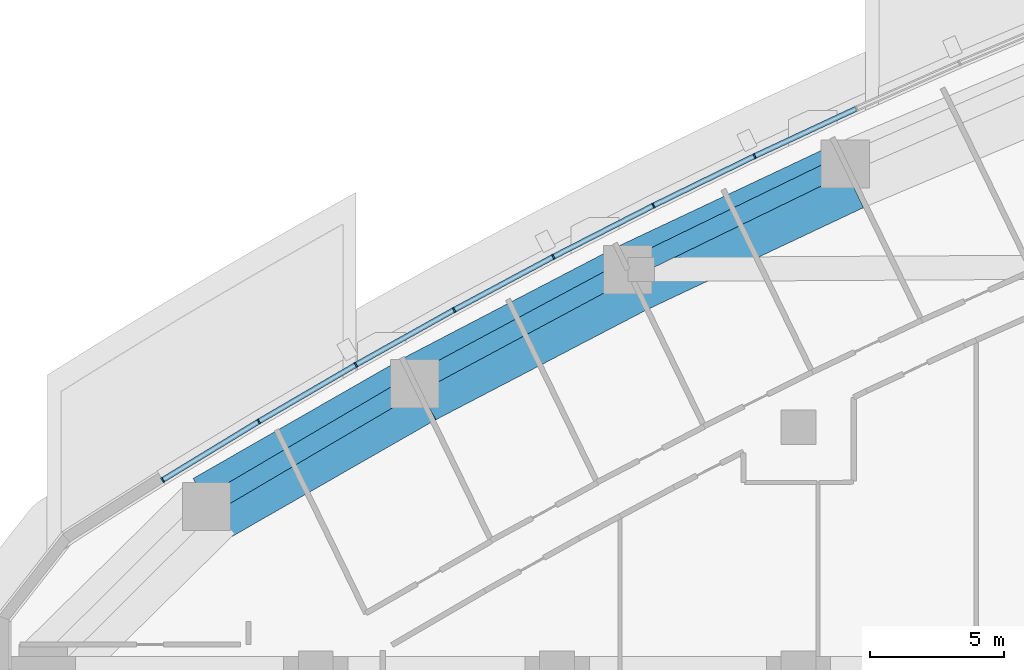
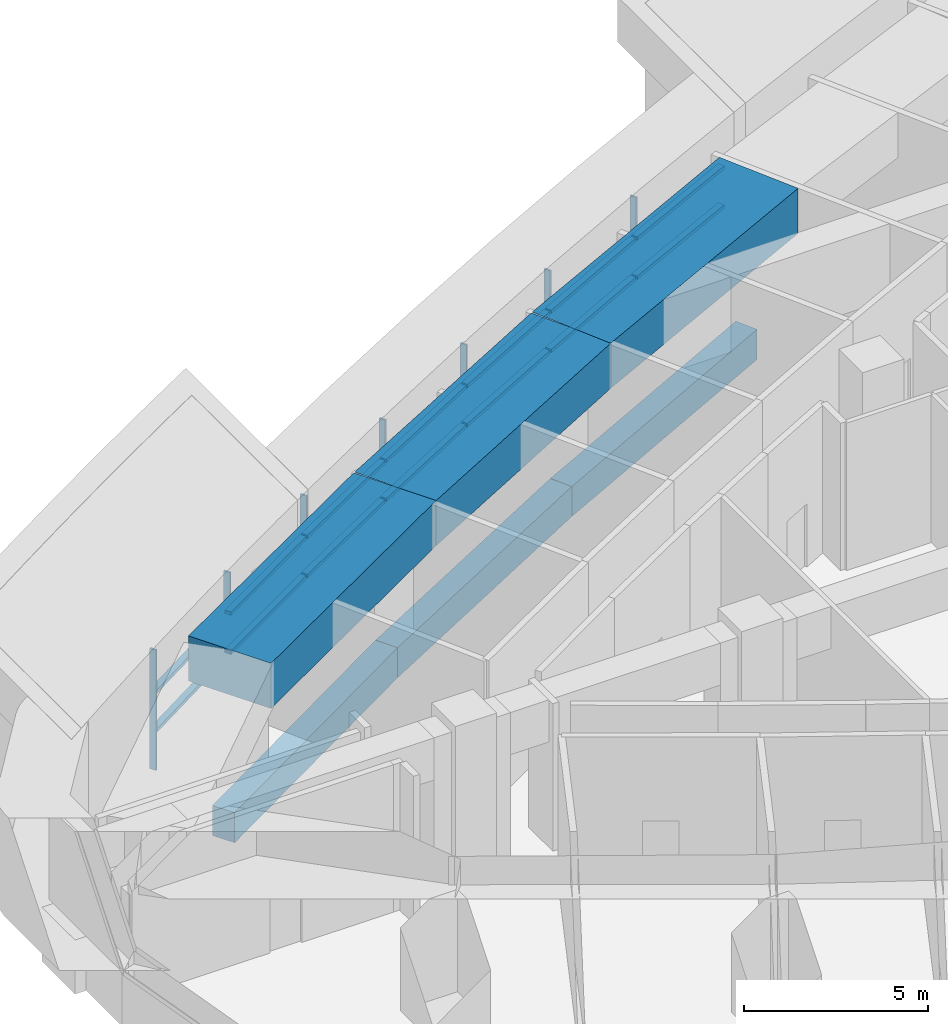
# One storey, part 5 of 17: 21 members, 6 beams, 3 elements without a shape of their own.
"""IFC4 building model written with IfcOpenShell, lengths in metres."""

import ifcopenshell
import ifcopenshell.guid

model = None  # the IFC model being written
_history = None  # IfcOwnerHistory: only IFC2X3 demands one
_inside = {}  # id of a spatial element -> (the spatial element, [elements in it])
_under = {}  # id of a project, library or spatial element -> (it, [spatial elements below it])
_declared = {}  # id of a project -> (the project, [libraries it declares])
_typed = {}  # id of a type object -> (the type object, [elements of that type])
_made_of = {}  # id of a material, layer set ... -> (it, [elements and type objects made of it])


def new_model(schema):
    """Start an empty IFC model of exactly this schema.

    Asked for "IFC4X3", IfcOpenShell would pick the latest addendum, in which some entities
    have other attributes; the version numbers below select the first issue.
    IFC2X3 requires an IfcOwnerHistory on every rooted entity: one is made here for all.
    """
    global model, _history
    if schema == "IFC4X3":
        model = ifcopenshell.file(schema_version=(4, 3, 0, 0))
    else:
        model = ifcopenshell.file(schema=schema)
    _inside.clear()
    _under.clear()
    _declared.clear()
    _typed.clear()
    _made_of.clear()
    _history = None
    if model.schema == "IFC2X3":
        org = make("IfcOrganization", Name="unknown")
        user = make(
            "IfcPersonAndOrganization",
            ThePerson=make("IfcPerson", FamilyName="unknown"),
            TheOrganization=org,
        )
        app = make(
            "IfcApplication",
            ApplicationDeveloper=org,
            Version="unknown",
            ApplicationFullName="unknown",
            ApplicationIdentifier="unknown",
        )
        _history = make(
            "IfcOwnerHistory",
            OwningUser=user,
            OwningApplication=app,
            ChangeAction="ADDED",
            CreationDate=0,
        )
    return model


def make(cls, **values):
    """One entity of the class cls with the attributes given. An attribute that is None is left unset."""
    return model.create_entity(
        cls, **{name: value for name, value in values.items() if value is not None}
    )


def rooted(cls, **values):
    """An entity with a GlobalId (a new one), such as an element, a storey or a relation."""
    return make(cls, GlobalId=ifcopenshell.guid.new(), OwnerHistory=_history, **values)


def si_unit(unit_type, name, prefix=None):
    """IfcSIUnit, for example si_unit("LENGTHUNIT", "METRE", prefix="MILLI")."""
    return make("IfcSIUnit", UnitType=unit_type, Prefix=prefix, Name=name)


def assignment(units):
    """IfcUnitAssignment: the units of a project."""
    return None if units is None else make("IfcUnitAssignment", Units=units)


def point(xyz):
    """IfcCartesianPoint."""
    return None if xyz is None else make("IfcCartesianPoint", Coordinates=xyz)


def direction(xyz):
    """IfcDirection."""
    return None if xyz is None else make("IfcDirection", DirectionRatios=xyz)


def frame(location, z_axis=None, x_axis=None):
    """IfcAxis2Placement3D, a coordinate frame: its origin and axes. An axis left out is left unset."""
    return make(
        "IfcAxis2Placement3D",
        Location=point(location),
        Axis=direction(z_axis),
        RefDirection=direction(x_axis),
    )


def frame_2d(location, x_axis=None):
    """IfcAxis2Placement2D, a coordinate frame in the plane: its origin and x axis."""
    return make(
        "IfcAxis2Placement2D", Location=point(location), RefDirection=direction(x_axis)
    )


def origin():
    """The frame at (0, 0, 0) with its axes left unset."""
    return frame((0.0, 0.0, 0.0))


def origin_2d():
    """The frame at (0, 0) in the plane with its x axis left unset."""
    return frame_2d((0.0, 0.0))


def place(relative_to, where):
    """IfcLocalPlacement: puts the frame where relative to a parent placement (None: the world)."""
    return make(
        "IfcLocalPlacement", PlacementRelTo=relative_to, RelativePlacement=where
    )


def context(
    kind, dimensions, precision=None, world=None, true_north=None, identifier=None
):
    """IfcGeometricRepresentationContext, for example the 3D "Model" context."""
    return make(
        "IfcGeometricRepresentationContext",
        ContextIdentifier=identifier,
        ContextType=kind,
        CoordinateSpaceDimension=dimensions,
        Precision=precision,
        WorldCoordinateSystem=world,
        TrueNorth=true_north,
    )


def subcontext(parent, identifier, kind, view, scale=None):
    """IfcGeometricRepresentationSubContext, for example "Body" below "Model"."""
    return make(
        "IfcGeometricRepresentationSubContext",
        ContextIdentifier=identifier,
        ContextType=kind,
        ParentContext=parent,
        TargetScale=scale,
        TargetView=view,
    )


def project(units=None, contexts=None):
    """IfcProject with its units and contexts."""
    return rooted(
        "IfcProject",
        Name="project",
        RepresentationContexts=contexts,
        UnitsInContext=assignment(units),
    )


def spatial(cls, under=None, at=None, **own):
    """A site, building, storey or space (cls), placed at a placement, below another one or the project."""
    s = rooted(cls, ObjectPlacement=at, **own)
    if under is not None:
        _under.setdefault(under.id(), (under, []))[1].append(s)
    return s


def profile(cls, at=None, kind="AREA", **sizes):
    """A parametric profile (cls). Its sizes go by their IFC names, for example OverallWidth=200.0."""
    return make(cls, ProfileType=kind, Position=at, **sizes)


def rectangle(**sizes):
    """IfcRectangleProfileDef."""
    return profile("IfcRectangleProfileDef", **sizes)


def extrude(swept, where, along, depth):
    """IfcExtrudedAreaSolid: the profile swept, set in the frame where, extruded along a direction by depth."""
    return make(
        "IfcExtrudedAreaSolid",
        SweptArea=swept,
        Position=where,
        ExtrudedDirection=direction(along),
        Depth=depth,
    )


def shape(context_of_items, identifier, shape_type, items):
    """IfcShapeRepresentation: the items that make up one representation, for example the "Body"."""
    return make(
        "IfcShapeRepresentation",
        ContextOfItems=context_of_items,
        RepresentationIdentifier=identifier,
        RepresentationType=shape_type,
        Items=items,
    )


def material(Name=None, Category=None):
    """IfcMaterial."""
    return make("IfcMaterial", Name=Name, Category=Category)


def layer(
    of_material, thickness, ventilated=None, Name=None, Category=None, Priority=None
):
    """IfcMaterialLayer: one layer of a wall or slab, of a material (None: an air gap)."""
    return make(
        "IfcMaterialLayer",
        Material=of_material,
        LayerThickness=thickness,
        IsVentilated=ventilated,
        Name=Name,
        Category=Category,
        Priority=Priority,
    )


def layer_set(layers, Name=None):
    """IfcMaterialLayerSet."""
    return make("IfcMaterialLayerSet", MaterialLayers=layers, LayerSetName=Name)


def material_profile(
    of_material, cross_section, Name=None, Category=None, Priority=None
):
    """IfcMaterialProfile: a cross section and its material."""
    return make(
        "IfcMaterialProfile",
        Name=Name,
        Material=of_material,
        Profile=cross_section,
        Priority=Priority,
        Category=Category,
    )


def profile_set(profiles, Name=None, composite=None):
    """IfcMaterialProfileSet."""
    return make(
        "IfcMaterialProfileSet",
        Name=Name,
        MaterialProfiles=profiles,
        CompositeProfile=composite,
    )


def made_of(thing, what):
    """Note that an element or type object is made of a material, layer set ...; save() writes the relation."""
    if what is not None:
        _made_of.setdefault(what.id(), (what, []))[1].append(thing)
    return thing


def type_object(cls, material=None, **own):
    """A type object (cls), such as IfcWallType, which elements share."""
    return made_of(rooted(cls, **own), material)


def element(
    cls,
    number,
    at=None,
    inside=None,
    cuts=None,
    type_object=None,
    material=None,
    context=None,
    identifier="Body",
    shape_type=None,
    held_by="IfcProductDefinitionShape",
    body=None,
    shapes=None,
    **own,
):
    """One element of the class cls, such as IfcWall. Its Tag is "e" and its number.

    at: its placement. inside: the storey or other place that contains it. cuts: it is an
    opening in that element (IfcRelVoidsElement). A single representation is given by context,
    identifier, shape_type and body (its items); several are given by shapes. held_by: the class
    of the entity that holds the representations. save() writes the other relations.
    """
    e = rooted(cls, Tag="e%d" % number, ObjectPlacement=at, **own)
    if body is not None:
        shapes = [shape(context, identifier, shape_type, body)]
    if shapes is not None:
        e.Representation = make(held_by, Representations=shapes)
    if inside is not None:
        _inside.setdefault(inside.id(), (inside, []))[1].append(e)
    if cuts is not None:
        rooted(
            "IfcRelVoidsElement", RelatingBuildingElement=cuts, RelatedOpeningElement=e
        )
    if type_object is not None:
        _typed.setdefault(type_object.id(), (type_object, []))[1].append(e)
    return made_of(e, material)


def aggregate(whole, parts):
    """IfcRelAggregates: a whole, such as a stair, and the parts it consists of."""
    return rooted("IfcRelAggregates", RelatingObject=whole, RelatedObjects=parts)


def save(model, path):
    """Write the relations noted so far, then the file.

    IfcRelAggregates (storeys below a building ...), IfcRelContainedInSpatialStructure (elements
    in a storey), IfcRelDefinesByType, IfcRelAssociatesMaterial and IfcRelDeclares: one each for
    every whole, place, type object, material and project.
    """
    for whole, parts in _under.values():
        aggregate(whole, parts)
    for where, things in _inside.values():
        rooted(
            "IfcRelContainedInSpatialStructure",
            RelatedElements=things,
            RelatingStructure=where,
        )
    for kind, things in _typed.values():
        rooted("IfcRelDefinesByType", RelatedObjects=things, RelatingType=kind)
    for what, things in _made_of.values():
        rooted("IfcRelAssociatesMaterial", RelatedObjects=things, RelatingMaterial=what)
    for by, libraries in _declared.values():
        rooted("IfcRelDeclares", RelatingContext=by, RelatedDefinitions=libraries)
    model.write(path)


model = new_model("IFC4")

# Units and contexts
model_context = context("Model", 3, precision=1e-05, world=origin(), true_north=direction((0.0, 1.0)))
body_context = subcontext(model_context, "Body", "Model", "MODEL_VIEW")
ifc_project = project(units=[si_unit("LENGTHUNIT", "METRE"), si_unit("AREAUNIT", "SQUARE_METRE"), si_unit("VOLUMEUNIT", "CUBIC_METRE"), si_unit("PLANEANGLEUNIT", "RADIAN"), si_unit("MASSUNIT", "GRAM", prefix="KILO")], contexts=[model_context])

# Site, building, storey
site_placement = place(None, origin())
site = spatial("IfcSite", under=ifc_project, at=site_placement, CompositionType="ELEMENT")
building_placement = place(site_placement, origin())
building = spatial("IfcBuilding", under=site, at=building_placement, Name="Ostrand Prow Hotel Tower", CompositionType="ELEMENT")
storey_placement = place(building_placement, frame((0.0, 0.0, 75.10009765625)))
storey = spatial("IfcBuildingStorey", under=building, at=storey_placement, Name="L17", CompositionType="ELEMENT", Elevation=75.10009765625)

# Beams
ifc_material_1 = material(Name="Concrete C80/95", Category="concrete")
ifc_material_profile_1 = material_profile(ifc_material_1, rectangle(XDim=2.60009765625, YDim=1.5, at=origin_2d()), Name="RC 2600x1500")
ifc_profile_set_1 = profile_set([ifc_material_profile_1], Name="Concrete C80/95")
beam_type_1 = type_object("IfcBeamType", Name="Belt girder 2600x1500 C80/95", PredefinedType="BEAM", material=ifc_profile_set_1)
beam_1_placement = place(storey_placement, frame((35.86474609375, 18.35791015625, 4.14990234375), z_axis=(-0.904560671273, -0.426344921379, 0.0), x_axis=(0.426344921379, -0.904560671273, 0.0)))
element("IfcBeam", 1, at=beam_1_placement, inside=storey, type_object=beam_type_1, Name="Belt girder N3-N4", PredefinedType="BEAM", context=body_context, shape_type="SweptSolid", body=[
    extrude(rectangle(XDim=2.60009765625, YDim=1.5, at=origin_2d()), origin(), (0.0, 0.0, 1.0), 8.947509765625),
])
beam_2_placement = place(storey_placement, frame((27.771240234375, 14.543212890625, 4.14990234375), z_axis=(-0.886797371481, -0.46215843813, 0.0), x_axis=(0.46215843813, -0.886797371481, 0.0)))
element("IfcBeam", 2, at=beam_2_placement, inside=storey, type_object=beam_type_1, Name="Belt girder N4-N5", PredefinedType="BEAM", context=body_context, shape_type="SweptSolid", body=[
    extrude(rectangle(XDim=2.60009765625, YDim=1.5, at=origin_2d()), origin(), (0.0, 0.0, 1.0), 8.947265625),
])
beam_3_placement = place(storey_placement, frame((19.8369140625, 10.408203125, 4.14990234375), z_axis=(-0.867604357802, -0.497255144089, 0.0), x_axis=(0.497255144089, -0.867604357802, 0.0)))
element("IfcBeam", 3, at=beam_3_placement, inside=storey, type_object=beam_type_1, Name="Belt girder N5-N6", PredefinedType="BEAM", context=body_context, shape_type="SweptSolid", body=[
    extrude(rectangle(XDim=2.60009765625, YDim=1.5, at=origin_2d()), origin(), (0.0, 0.0, 1.0), 8.947509765625),
])
ifc_material_2 = material(Name="Concrete C80/95", Category="concrete")
ifc_material_profile_2 = material_profile(ifc_material_2, rectangle(XDim=0.699951171875, YDim=1.0, at=origin_2d()), Name="RC 700x1000")
ifc_profile_set_2 = profile_set([ifc_material_profile_2], Name="Concrete C80/95")
beam_type_2 = type_object("IfcBeamType", Name="Edge beam 700x1000 C80/95", PredefinedType="SPANDREL", material=ifc_profile_set_2)
beam_4_placement = place(storey_placement, frame((35.7412109375, 18.814208984375, -0.900146484375), z_axis=(-0.899382499202, -0.437162578601, 0.0), x_axis=(0.437162578601, -0.899382499202, 0.0)))
element("IfcBeam", 4, at=beam_4_placement, inside=storey, type_object=beam_type_2, Name="Edge beam N3-N4", PredefinedType="SPANDREL", context=body_context, shape_type="SweptSolid", body=[
    extrude(rectangle(XDim=0.699951171875, YDim=1.0, at=origin_2d()), origin(), (0.0, 0.0, 1.0), 9.012451171875),
])
beam_5_placement = place(storey_placement, frame((27.635498046875, 14.874267578125, -0.900146484375), z_axis=(-0.881270074696, -0.472613008122, 0.0), x_axis=(0.472613008122, -0.881270074696, 0.0)))
element("IfcBeam", 5, at=beam_5_placement, inside=storey, type_object=beam_type_2, Name="Edge beam N4-N5", PredefinedType="SPANDREL", context=body_context, shape_type="SweptSolid", body=[
    extrude(rectangle(XDim=0.699951171875, YDim=1.0, at=origin_2d()), origin(), (0.0, 0.0, 1.0), 9.0126953125),
])
beam_6_placement = place(storey_placement, frame((19.69287109375, 10.61474609375, -0.900146484375), z_axis=(-0.861725230108, -0.507375233722, 0.0), x_axis=(0.507375233722, -0.861725230108, 0.0)))
element("IfcBeam", 6, at=beam_6_placement, inside=storey, type_object=beam_type_2, Name="Edge beam N5-N6", PredefinedType="SPANDREL", context=body_context, shape_type="SweptSolid", body=[
    extrude(rectangle(XDim=0.699951171875, YDim=1.0, at=origin_2d()), origin(), (0.0, 0.0, 1.0), 9.012451171875),
])

# Curtain wall, members
ifc_material_3 = material(Name="Insulated glass in bronze anodised frame", Category="glass")
ifc_layer = layer(ifc_material_3, 0.199951171875)
ifc_layer_set = layer_set([ifc_layer], Name="Insulated glass in bronze anodised frame")
curtain_wall_type = type_object("IfcCurtainWallType", Name="Plant storey louvre wall", PredefinedType="NOTDEFINED", material=ifc_layer_set)
curtain_wall_1_placement = place(storey_placement, origin())
curtain_wall_1 = element("IfcCurtainWall", 7, at=curtain_wall_1_placement, inside=storey, type_object=curtain_wall_type, Name="CW7 run CWN3", PredefinedType="NOTDEFINED")
ifc_material_4 = material(Name="Bronze anodised aluminium", Category="aluminium")
ifc_material_profile_3 = material_profile(ifc_material_4, rectangle(XDim=0.199951171875, YDim=0.06005859375, at=origin_2d()), Name="Mullion 60x200 bronze anodised aluminium")
ifc_profile_set_3 = profile_set([ifc_material_profile_3], Name="Bronze anodised aluminium")
member_type_1 = type_object("IfcMemberType", Name="Mullion 60x200 bronze anodised aluminium", PredefinedType="MULLION", material=ifc_profile_set_3)
member_1_placement = place(storey_placement, frame((32.360595703125, 19.10498046875, 0.89990234375), z_axis=(0.0, 0.0, 1.0), x_axis=(0.439138077204, -0.898419584131, 0.0)))
member_1 = element("IfcMember", 8, at=member_1_placement, type_object=member_type_1, Name="CW7 mullion 2", PredefinedType="MULLION", context=body_context, shape_type="SweptSolid", body=[
    extrude(rectangle(XDim=0.199951171875, YDim=0.06005859375, at=origin_2d()), origin(), (0.0, 0.0, 1.0), 4.0),
])
member_2_placement = place(storey_placement, frame((28.59228515625, 17.262939453125, 0.89990234375), z_axis=(0.0, 0.0, 1.0), x_axis=(0.439138077204, -0.898419584131, 0.0)))
member_2 = element("IfcMember", 9, at=member_2_placement, type_object=member_type_1, Name="CW7 mullion 3", PredefinedType="MULLION", context=body_context, shape_type="SweptSolid", body=[
    extrude(rectangle(XDim=0.199951171875, YDim=0.06005859375, at=origin_2d()), origin(), (0.0, 0.0, 1.0), 4.0),
])

curtain_wall_2_placement = place(storey_placement, origin())
curtain_wall_2 = element("IfcCurtainWall", 10, at=curtain_wall_2_placement, inside=storey, type_object=curtain_wall_type, Name="CW7 run CWN4", PredefinedType="NOTDEFINED")
member_3_placement = place(storey_placement, frame((24.858642578125, 15.35205078125, 0.89990234375), z_axis=(0.0, 0.0, 1.0), x_axis=(0.471899992481, -0.881652083929, 0.0)))
member_3 = element("IfcMember", 11, at=member_3_placement, type_object=member_type_1, Name="CW7 mullion 2", PredefinedType="MULLION", context=body_context, shape_type="SweptSolid", body=[
    extrude(rectangle(XDim=0.199951171875, YDim=0.06005859375, at=origin_2d()), origin(), (0.0, 0.0, 1.0), 4.0),
])
member_4_placement = place(storey_placement, frame((21.160888671875, 13.372802734375, 0.89990234375), z_axis=(0.0, 0.0, 1.0), x_axis=(0.488043996167, -0.872819029241, 0.0)))
member_4 = element("IfcMember", 12, at=member_4_placement, type_object=member_type_1, Name="CW7 mullion 3", PredefinedType="MULLION", context=body_context, shape_type="SweptSolid", body=[
    extrude(rectangle(XDim=0.199951171875, YDim=0.06005859375, at=origin_2d()), origin(), (0.0, 0.0, 1.0), 4.0),
])
member_5_placement = place(storey_placement, frame((17.5, 11.325927734375, 0.89990234375), z_axis=(0.0, 0.0, 1.0), x_axis=(0.488043996167, -0.872819029241, 0.0)))
member_5 = element("IfcMember", 13, at=member_5_placement, type_object=member_type_1, Name="CW7 mullion 4", PredefinedType="MULLION", context=body_context, shape_type="SweptSolid", body=[
    extrude(rectangle(XDim=0.199951171875, YDim=0.06005859375, at=origin_2d()), origin(), (0.0, 0.0, 1.0), 4.0),
])

curtain_wall_3_placement = place(storey_placement, origin())
curtain_wall_3 = element("IfcCurtainWall", 14, at=curtain_wall_3_placement, inside=storey, type_object=curtain_wall_type, Name="CW7 run CWN5", PredefinedType="NOTDEFINED")
member_6_placement = place(storey_placement, frame((13.87744140625, 9.2119140625, 0.89990234375), z_axis=(0.0, 0.0, 1.0), x_axis=(0.519830761515, -0.854269266322, 0.0)))
member_6 = element("IfcMember", 15, at=member_6_placement, type_object=member_type_1, Name="CW7 mullion 2", PredefinedType="MULLION", context=body_context, shape_type="SweptSolid", body=[
    extrude(rectangle(XDim=0.199951171875, YDim=0.06005859375, at=origin_2d()), origin(), (0.0, 0.0, 1.0), 4.0),
])
member_7_placement = place(storey_placement, frame((10.29443359375, 7.031494140625, 0.89990234375), z_axis=(0.0, 0.0, 1.0), x_axis=(0.519830761515, -0.854269266322, 0.0)))
member_7 = element("IfcMember", 16, at=member_7_placement, type_object=member_type_1, Name="CW7 mullion 3", PredefinedType="MULLION", context=body_context, shape_type="SweptSolid", body=[
    extrude(rectangle(XDim=0.199951171875, YDim=0.06005859375, at=origin_2d()), origin(), (0.0, 0.0, 1.0), 4.0),
])

# Member
ifc_material_5 = material(Name="Bronze anodised aluminium", Category="aluminium")
ifc_material_profile_4 = material_profile(ifc_material_5, rectangle(XDim=0.199951171875, YDim=0.1201171875, at=origin_2d()), Name="Transom 120x200 bronze anodised aluminium")
ifc_profile_set_4 = profile_set([ifc_material_profile_4], Name="Bronze anodised aluminium")
member_type_2 = type_object("IfcMemberType", Name="Transom 120x200 bronze anodised aluminium", PredefinedType="USERDEFINED", material=ifc_profile_set_4)
member_8_placement = place(storey_placement, frame((36.135009765625, 20.864501953125, 2.199951171875), z_axis=(-0.906338458793, -0.422552479714, 0.0), x_axis=(0.422552479714, -0.906338458793, 0.0)))
member_8 = element("IfcMember", 17, at=member_8_placement, type_object=member_type_2, Name="CW7 transom 1.1", ObjectType="TRANSOM", PredefinedType="USERDEFINED", context=body_context, shape_type="SweptSolid", body=[
    extrude(rectangle(XDim=0.199951171875, YDim=0.1201171875, at=origin_2d()), origin(), (0.0, 0.0, 1.0), 4.134521484375),
])

member_9_placement = place(storey_placement, frame((36.135009765625, 20.864501953125, 3.5), z_axis=(-0.906338458793, -0.422552479714, 0.0), x_axis=(0.422552479714, -0.906338458793, 0.0)))
member_9 = element("IfcMember", 18, at=member_9_placement, type_object=member_type_2, Name="CW7 transom 1.2", ObjectType="TRANSOM", PredefinedType="USERDEFINED", context=body_context, shape_type="SweptSolid", body=[
    extrude(rectangle(XDim=0.199951171875, YDim=0.1201171875, at=origin_2d()), origin(), (0.0, 0.0, 1.0), 4.134521484375),
])

member_10_placement = place(storey_placement, frame((32.33349609375, 19.091796875, 2.199951171875), z_axis=(-0.898395234758, -0.439187889364, 0.0), x_axis=(0.439187889364, -0.898395234758, 0.0)))
member_10 = element("IfcMember", 19, at=member_10_placement, type_object=member_type_2, Name="CW7 transom 2.1", ObjectType="TRANSOM", PredefinedType="USERDEFINED", context=body_context, shape_type="SweptSolid", body=[
    extrude(rectangle(XDim=0.199951171875, YDim=0.1201171875, at=origin_2d()), origin(), (0.0, 0.0, 1.0), 4.13427734375),
])

member_11_placement = place(storey_placement, frame((32.33349609375, 19.091796875, 3.5), z_axis=(-0.898395234758, -0.439187889364, 0.0), x_axis=(0.439187889364, -0.898395234758, 0.0)))
member_11 = element("IfcMember", 20, at=member_11_placement, type_object=member_type_2, Name="CW7 transom 2.2", ObjectType="TRANSOM", PredefinedType="USERDEFINED", context=body_context, shape_type="SweptSolid", body=[
    extrude(rectangle(XDim=0.199951171875, YDim=0.1201171875, at=origin_2d()), origin(), (0.0, 0.0, 1.0), 4.13427734375),
])

aggregate(curtain_wall_1, [member_1, member_2, member_8, member_9, member_10, member_11])

member_12_placement = place(storey_placement, frame((28.565673828125, 17.249267578125, 2.199951171875), z_axis=(-0.890182999343, -0.455603147136, 0.0), x_axis=(0.455603147136, -0.890182999343, 0.0)))
member_12 = element("IfcMember", 21, at=member_12_placement, type_object=member_type_2, Name="CW7 transom 1.1", ObjectType="TRANSOM", PredefinedType="USERDEFINED", context=body_context, shape_type="SweptSolid", body=[
    extrude(rectangle(XDim=0.199951171875, YDim=0.1201171875, at=origin_2d()), origin(), (0.0, 0.0, 1.0), 4.13427734375),
])

member_13_placement = place(storey_placement, frame((28.565673828125, 17.249267578125, 3.5), z_axis=(-0.890182999343, -0.455603147136, 0.0), x_axis=(0.455603147136, -0.890182999343, 0.0)))
member_13 = element("IfcMember", 22, at=member_13_placement, type_object=member_type_2, Name="CW7 transom 1.2", ObjectType="TRANSOM", PredefinedType="USERDEFINED", context=body_context, shape_type="SweptSolid", body=[
    extrude(rectangle(XDim=0.199951171875, YDim=0.1201171875, at=origin_2d()), origin(), (0.0, 0.0, 1.0), 4.13427734375),
])

member_14_placement = place(storey_placement, frame((24.832275390625, 15.337890625, 2.199951171875), z_axis=(-0.881657241639, -0.471890356191, 0.0), x_axis=(0.471890356191, -0.881657241639, 0.0)))
member_14 = element("IfcMember", 23, at=member_14_placement, type_object=member_type_2, Name="CW7 transom 2.1", ObjectType="TRANSOM", PredefinedType="USERDEFINED", context=body_context, shape_type="SweptSolid", body=[
    extrude(rectangle(XDim=0.199951171875, YDim=0.1201171875, at=origin_2d()), origin(), (0.0, 0.0, 1.0), 4.13427734375),
])

member_15_placement = place(storey_placement, frame((24.832275390625, 15.337890625, 3.5), z_axis=(-0.881657241639, -0.471890356191, 0.0), x_axis=(0.471890356191, -0.881657241639, 0.0)))
member_15 = element("IfcMember", 24, at=member_15_placement, type_object=member_type_2, Name="CW7 transom 2.2", ObjectType="TRANSOM", PredefinedType="USERDEFINED", context=body_context, shape_type="SweptSolid", body=[
    extrude(rectangle(XDim=0.199951171875, YDim=0.1201171875, at=origin_2d()), origin(), (0.0, 0.0, 1.0), 4.13427734375),
])

member_16_placement = place(storey_placement, frame((21.134765625, 13.358154296875, 2.199951171875), z_axis=(-0.872842137405, -0.488002667175, 0.0), x_axis=(0.488002667175, -0.872842137405, 0.0)))
member_16 = element("IfcMember", 25, at=member_16_placement, type_object=member_type_2, Name="CW7 transom 3.1", ObjectType="TRANSOM", PredefinedType="USERDEFINED", context=body_context, shape_type="SweptSolid", body=[
    extrude(rectangle(XDim=0.199951171875, YDim=0.1201171875, at=origin_2d()), origin(), (0.0, 0.0, 1.0), 4.13427734375),
])

member_17_placement = place(storey_placement, frame((21.134765625, 13.358154296875, 3.5), z_axis=(-0.872842137405, -0.488002667175, 0.0), x_axis=(0.488002667175, -0.872842137405, 0.0)))
member_17 = element("IfcMember", 26, at=member_17_placement, type_object=member_type_2, Name="CW7 transom 3.2", ObjectType="TRANSOM", PredefinedType="USERDEFINED", context=body_context, shape_type="SweptSolid", body=[
    extrude(rectangle(XDim=0.199951171875, YDim=0.1201171875, at=origin_2d()), origin(), (0.0, 0.0, 1.0), 4.13427734375),
])

aggregate(curtain_wall_2, [member_3, member_4, member_5, member_12, member_13, member_14, member_15, member_16, member_17])

member_18_placement = place(storey_placement, frame((17.47412109375, 11.310791015625, 2.199951171875), z_axis=(-0.863697501622, -0.504010541251, 0.0), x_axis=(0.504010541251, -0.863697501622, 0.0)))
member_18 = element("IfcMember", 27, at=member_18_placement, type_object=member_type_2, Name="CW7 transom 1.1", ObjectType="TRANSOM", PredefinedType="USERDEFINED", context=body_context, shape_type="SweptSolid", body=[
    extrude(rectangle(XDim=0.199951171875, YDim=0.1201171875, at=origin_2d()), origin(), (0.0, 0.0, 1.0), 4.13427734375),
])

member_19_placement = place(storey_placement, frame((17.47412109375, 11.310791015625, 3.5), z_axis=(-0.863697501622, -0.504010541251, 0.0), x_axis=(0.504010541251, -0.863697501622, 0.0)))
member_19 = element("IfcMember", 28, at=member_19_placement, type_object=member_type_2, Name="CW7 transom 1.2", ObjectType="TRANSOM", PredefinedType="USERDEFINED", context=body_context, shape_type="SweptSolid", body=[
    extrude(rectangle(XDim=0.199951171875, YDim=0.1201171875, at=origin_2d()), origin(), (0.0, 0.0, 1.0), 4.13427734375),
])

member_20_placement = place(storey_placement, frame((13.851806640625, 9.1962890625, 2.199951171875), z_axis=(-0.8542612678, -0.519843905741, 0.0), x_axis=(0.519843905741, -0.8542612678, 0.0)))
member_20 = element("IfcMember", 29, at=member_20_placement, type_object=member_type_2, Name="CW7 transom 2.1", ObjectType="TRANSOM", PredefinedType="USERDEFINED", context=body_context, shape_type="SweptSolid", body=[
    extrude(rectangle(XDim=0.199951171875, YDim=0.1201171875, at=origin_2d()), origin(), (0.0, 0.0, 1.0), 4.13427734375),
])

member_21_placement = place(storey_placement, frame((13.851806640625, 9.1962890625, 3.5), z_axis=(-0.8542612678, -0.519843905741, 0.0), x_axis=(0.519843905741, -0.8542612678, 0.0)))
member_21 = element("IfcMember", 30, at=member_21_placement, type_object=member_type_2, Name="CW7 transom 2.2", ObjectType="TRANSOM", PredefinedType="USERDEFINED", context=body_context, shape_type="SweptSolid", body=[
    extrude(rectangle(XDim=0.199951171875, YDim=0.1201171875, at=origin_2d()), origin(), (0.0, 0.0, 1.0), 4.13427734375),
])

aggregate(curtain_wall_3, [member_6, member_7, member_18, member_19, member_20, member_21])

save(model, "model.ifc")
